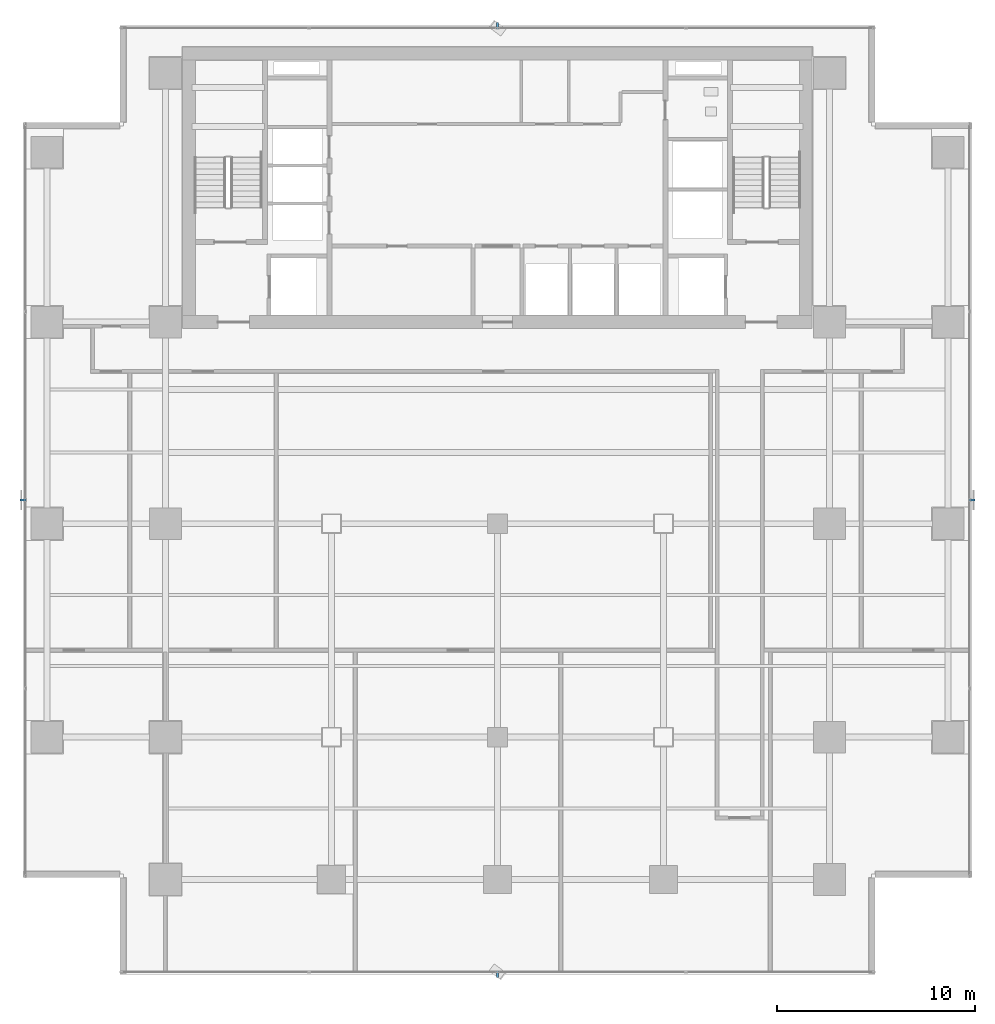
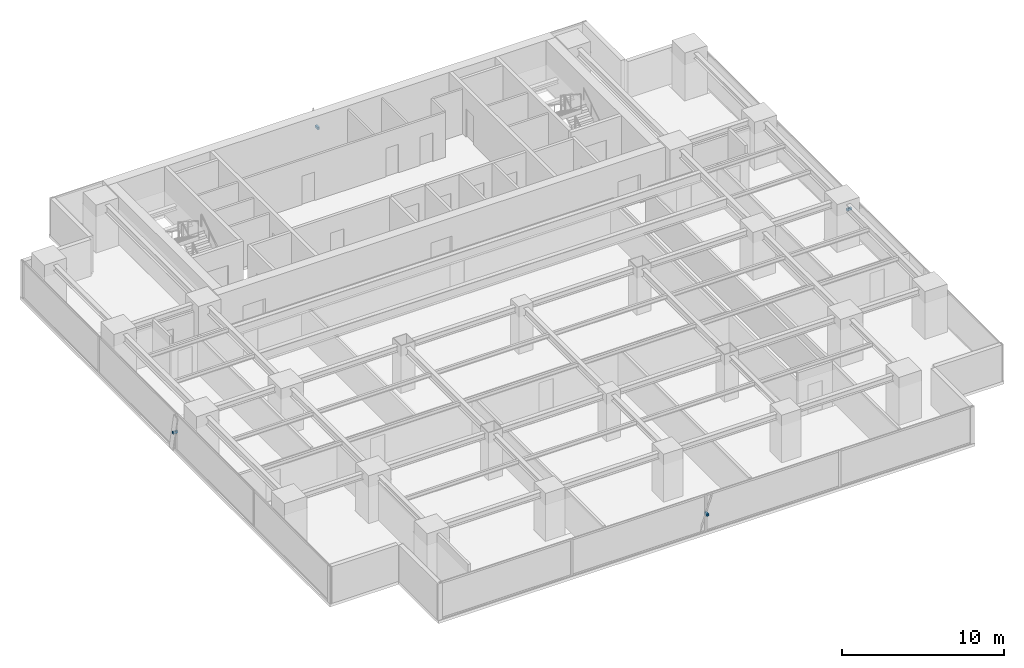
# One storey, part 23 of 28: 4 discrete accessories.
"""IFC4 building model written with IfcOpenShell, lengths in metres."""

from ifc_helpers import new_model, si_unit, direction, frame, origin, origin_2d, place, context, subcontext, project, spatial, rectangle, extrude, source, transform, mapped, material, material_profile, profile_set, type_object, element, save


model = new_model("IFC4")

# Units and contexts
model_context = context("Model", 3, precision=1e-05, world=origin(), true_north=direction((0.0, 1.0)))
body_context = subcontext(model_context, "Body", "Model", "MODEL_VIEW")
ifc_project = project(units=[si_unit("LENGTHUNIT", "METRE"), si_unit("AREAUNIT", "SQUARE_METRE"), si_unit("VOLUMEUNIT", "CUBIC_METRE"), si_unit("PLANEANGLEUNIT", "RADIAN"), si_unit("MASSUNIT", "GRAM", prefix="KILO")], contexts=[model_context])

# Site, building, storey
site_placement = place(None, origin())
site = spatial("IfcSite", under=ifc_project, at=site_placement, CompositionType="ELEMENT")
building_placement = place(site_placement, origin())
building = spatial("IfcBuilding", under=site, at=building_placement, Name="Sumidabori Civic Tower", CompositionType="ELEMENT")
storey_placement = place(building_placement, frame((0.0, 0.0, 171.199951171875)))
storey = spatial("IfcBuildingStorey", under=building, at=storey_placement, Name="L44", CompositionType="ELEMENT", Elevation=171.199951171875)

# Discrete accessories
ifc_material = material(Name="Stainless Steel Hairline Finish", Category="steel")
ifc_material_profile = material_profile(ifc_material, rectangle(XDim=0.1201171875, YDim=0.179931640625, at=origin_2d()), Name="STEEL BRACKET 180x120")
ifc_profile_set = profile_set([ifc_material_profile], Name="Stainless Steel Hairline Finish")
discrete_accessory_type = type_object("IfcDiscreteAccessoryType", Name="AC-BRK-180", PredefinedType="BRACKET", material=ifc_profile_set)
shared_shape_1 = source(origin(), body_context, "Body", "SweptSolid", [
    extrude(rectangle(XDim=0.1201171875, YDim=0.179931640625, at=origin_2d()), origin(), (0.0, 0.0, 1.0), 0.329833984375),
])
for number, where, z_axis, x_axis, name in (
    (1, (23.830078125, 1.199951171875, 1.3701171875), (1.0, 0.0, 0.0), (0.0, 1.0, 0.0), "Bronze Fin Fixing Bracket L44-02"),
    (2, (-23.830078125, 1.199951171875, 1.3701171875), (-1.0, 0.0, 0.0), (0.0, -1.0, 0.0), "Bronze Fin Fixing Bracket L44-02"),
):
    element("IfcDiscreteAccessory", number, at=place(storey_placement, frame(where, z_axis=z_axis, x_axis=x_axis)), inside=storey, type_object=discrete_accessory_type, Name=name, PredefinedType="BRACKET", context=body_context, shape_type="MappedRepresentation", body=[
        mapped(shared_shape_1, transform((0.0, 0.0, 0.0), x_axis=(1.0, 0.0, 0.0), y_axis=(0.0, 1.0, 0.0), z_axis=(0.0, 0.0, 1.0), scale=1.0)),
    ])
shared_shape_2 = source(origin(), body_context, "Body", "SweptSolid", [
    extrude(rectangle(XDim=0.1201171875, YDim=0.179931640625, at=origin_2d()), origin(), (0.0, 0.0, 1.0), 0.330078125),
])
for number, where, z_axis, x_axis, name in (
    (3, (0.0, -22.6298828125, 1.3701171875), (0.0, -1.0, 0.0), (1.0, 0.0, 0.0), "Bronze Fin Fixing Bracket L44-02"),
    (4, (0.0, 25.030029296875, 1.3701171875), (0.0, 1.0, 0.0), (-1.0, 0.0, 0.0), "Bronze Fin Fixing Bracket L44-02"),
):
    element("IfcDiscreteAccessory", number, at=place(storey_placement, frame(where, z_axis=z_axis, x_axis=x_axis)), inside=storey, type_object=discrete_accessory_type, Name=name, PredefinedType="BRACKET", context=body_context, shape_type="MappedRepresentation", body=[
        mapped(shared_shape_2, transform((0.0, 0.0, 0.0), x_axis=(1.0, 0.0, 0.0), y_axis=(0.0, 1.0, 0.0), z_axis=(0.0, 0.0, 1.0), scale=1.0)),
    ])

save(model, "model.ifc")
